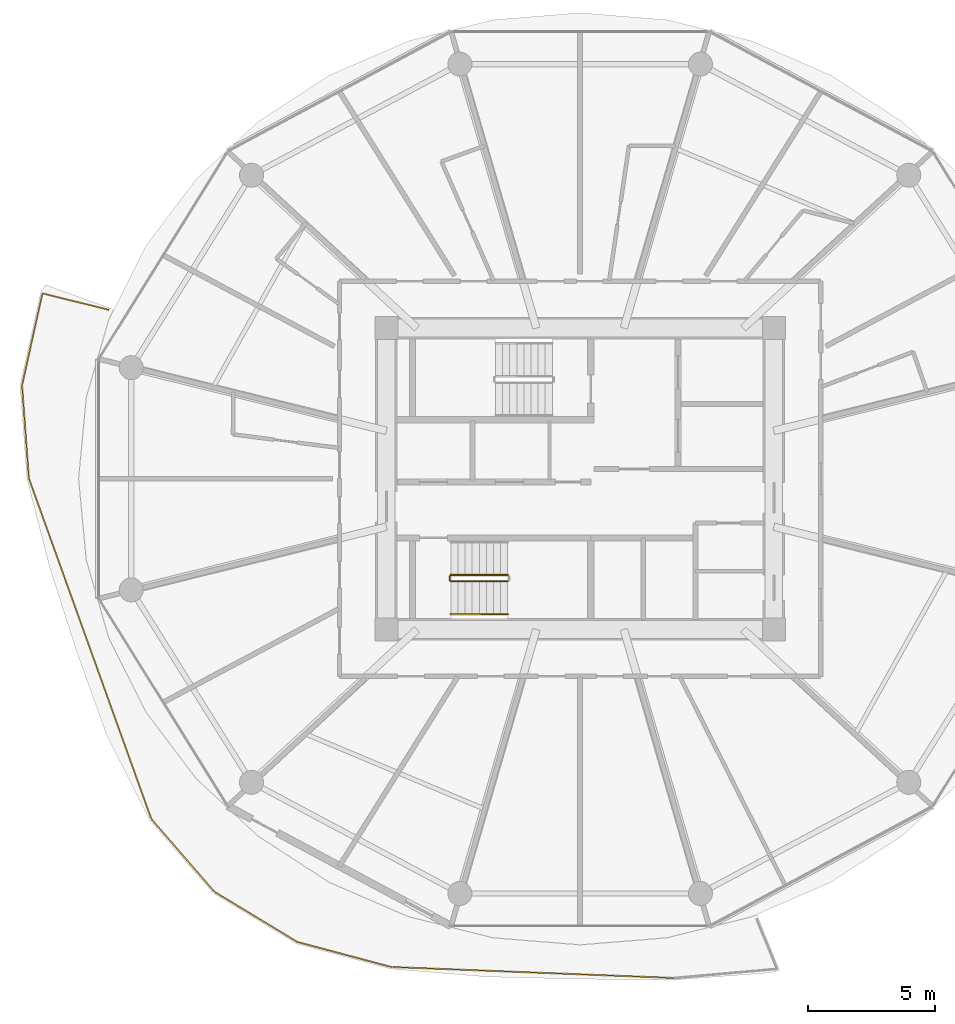
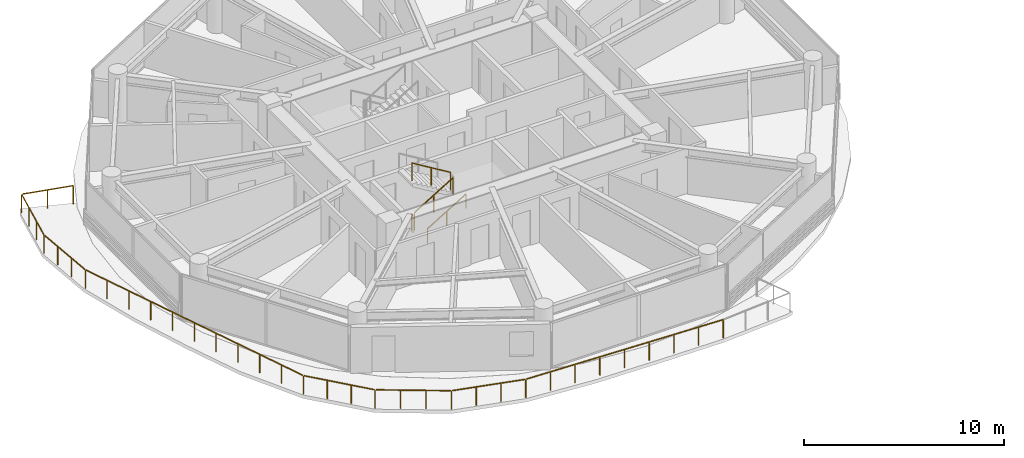
# One storey, part 23 of 28: 5 railings.
"""IFC4 building model written with IfcOpenShell, lengths in metres."""

from ifc_helpers import new_model, si_unit, direction, frame, origin, origin_2d, place, context, subcontext, project, spatial, rectangle, extrude, material, type_object, element, save


model = new_model("IFC4")

# Units and contexts
model_context = context("Model", 3, precision=1e-05, world=origin(), true_north=direction((0.0, 1.0)))
body_context = subcontext(model_context, "Body", "Model", "MODEL_VIEW")
ifc_project = project(units=[si_unit("LENGTHUNIT", "METRE"), si_unit("AREAUNIT", "SQUARE_METRE"), si_unit("VOLUMEUNIT", "CUBIC_METRE"), si_unit("PLANEANGLEUNIT", "RADIAN"), si_unit("MASSUNIT", "GRAM", prefix="KILO")], contexts=[model_context])

# Site, building, storey
site_placement = place(None, origin())
site = spatial("IfcSite", under=ifc_project, at=site_placement, CompositionType="ELEMENT")
building_placement = place(site_placement, origin())
building = spatial("IfcBuilding", under=site, at=building_placement, Name="Norrkilde Senior Care Towers", CompositionType="ELEMENT")
storey_placement = place(building_placement, frame((0.0, 0.0, 39.89990234375)))
storey = spatial("IfcBuildingStorey", under=building, at=storey_placement, Name="L11", CompositionType="ELEMENT", Elevation=39.89990234375)

# Railings
ifc_material_1 = material(Name="Anodised Aluminium", Category="aluminium")
railing_type_1 = type_object("IfcRailingType", Name="Balcony Swirl Ribbon Guardrail 1150", PredefinedType="GUARDRAIL", material=ifc_material_1)
railing_1_placement = place(storey_placement, frame((-24.290771484375, -19.709716796875, 0.0)))
element("IfcRailing", 1, at=railing_1_placement, inside=storey, type_object=railing_type_1, Name="L11 Perimeter Safety Guard 03", PredefinedType="GUARDRAIL", context=body_context, shape_type="SweptSolid", body=[
    extrude(rectangle(XDim=0.048095703125, YDim=0.048095703125, at=origin_2d()), frame((0.0, 0.0, 1.1259765625), z_axis=(-0.999244330243, 0.038868605302, 0.0), x_axis=(-0.038868605302, -0.999244330243, 0.0)), (0.0, 0.0, 1.0), 11.13330078125),
    extrude(rectangle(XDim=0.048095703125, YDim=0.048095703125, at=origin_2d()), frame((-11.205322265625, 0.44482421875, 1.1259765625), z_axis=(-0.96624232088, 0.257634969172, 0.0), x_axis=(-0.257634969172, -0.96624232088, 0.0)), (0.0, 0.0, 1.0), 3.7607421875),
    extrude(rectangle(XDim=0.048095703125, YDim=0.048095703125, at=origin_2d()), frame((-14.91357421875, 1.445556640625, 1.1259765625), z_axis=(-0.855341697767, 0.518064262481, 0.0), x_axis=(-0.518064262481, -0.855341697767, 0.0)), (0.0, 0.0, 1.0), 3.746826171875),
    extrude(rectangle(XDim=0.048095703125, YDim=0.048095703125, at=origin_2d()), frame((-18.18017578125, 3.438720703125, 1.1259765625), z_axis=(-0.655013796791, 0.755616917501, 0.0), x_axis=(-0.755616917501, -0.655013796791, 0.0)), (0.0, 0.0, 1.0), 3.713623046875),
    extrude(rectangle(XDim=0.048095703125, YDim=0.048095703125, at=origin_2d()), frame((-20.6533203125, 6.314208984375, 1.1259765625), z_axis=(-0.338319534564, 0.941031292005, 0.0), x_axis=(-0.941031292005, -0.338319534564, 0.0)), (0.0, 0.0, 1.0), 14.2080078125),
    extrude(rectangle(XDim=0.048095703125, YDim=0.048095703125, at=origin_2d()), frame((-25.476806640625, 19.763427734375, 1.1259765625), z_axis=(-0.073451678086, 0.997298777191, 0.0), x_axis=(-0.997298777191, -0.073451678086, 0.0)), (0.0, 0.0, 1.0), 3.60107421875),
    extrude(rectangle(XDim=0.048095703125, YDim=0.048095703125, at=origin_2d()), frame((-25.735595703125, 23.435302734375, 1.1259765625), z_axis=(0.216506814458, 0.976281106697, 0.0), x_axis=(-0.976281106697, 0.216506814458, 0.0)), (0.0, 0.0, 1.0), 3.640625),
    extrude(rectangle(XDim=0.048095703125, YDim=0.048095703125, at=origin_2d()), frame((-24.898681640625, 27.019775390625, 1.1259765625), z_axis=(0.970726575281, -0.240187252041, 0.0), x_axis=(0.240187252041, 0.970726575281, 0.0)), (0.0, 0.0, 1.0), 2.650634765625),
    extrude(rectangle(XDim=0.0419921875, YDim=0.0419921875, at=origin_2d()), origin(), (0.0, 0.0, 1.0), 1.099853515625),
    extrude(rectangle(XDim=0.0419921875, YDim=0.0419921875, at=origin_2d()), frame((-1.395751953125, 0.05419921875, 0.0)), (0.0, 0.0, 1.0), 1.099853515625),
    extrude(rectangle(XDim=0.0419921875, YDim=0.0419921875, at=origin_2d()), frame((-2.79150390625, 0.108642578125, 0.0)), (0.0, 0.0, 1.0), 1.099853515625),
    extrude(rectangle(XDim=0.0419921875, YDim=0.0419921875, at=origin_2d()), frame((-4.187255859375, 0.162841796875, 0.0)), (0.0, 0.0, 1.0), 1.099853515625),
    extrude(rectangle(XDim=0.0419921875, YDim=0.0419921875, at=origin_2d()), frame((-5.5830078125, 0.21728515625, 0.0)), (0.0, 0.0, 1.0), 1.099853515625),
    extrude(rectangle(XDim=0.0419921875, YDim=0.0419921875, at=origin_2d()), frame((-6.978515625, 0.271484375, 0.0)), (0.0, 0.0, 1.0), 1.099853515625),
    extrude(rectangle(XDim=0.0419921875, YDim=0.0419921875, at=origin_2d()), frame((-8.374267578125, 0.32568359375, 0.0)), (0.0, 0.0, 1.0), 1.099853515625),
    extrude(rectangle(XDim=0.0419921875, YDim=0.0419921875, at=origin_2d()), frame((-9.77001953125, 0.380126953125, 0.0)), (0.0, 0.0, 1.0), 1.099853515625),
    extrude(rectangle(XDim=0.0419921875, YDim=0.0419921875, at=origin_2d()), frame((-11.165771484375, 0.434326171875, 0.0)), (0.0, 0.0, 1.0), 1.099853515625),
    extrude(rectangle(XDim=0.0419921875, YDim=0.0419921875, at=origin_2d()), frame((-12.4033203125, 0.764404296875, 0.0)), (0.0, 0.0, 1.0), 1.099853515625),
    extrude(rectangle(XDim=0.0419921875, YDim=0.0419921875, at=origin_2d()), frame((-13.64111328125, 1.09423828125, 0.0)), (0.0, 0.0, 1.0), 1.099853515625),
    extrude(rectangle(XDim=0.0419921875, YDim=0.0419921875, at=origin_2d()), frame((-14.878662109375, 1.42431640625, 0.0)), (0.0, 0.0, 1.0), 1.099853515625),
    extrude(rectangle(XDim=0.0419921875, YDim=0.0419921875, at=origin_2d()), frame((-15.97021484375, 2.08544921875, 0.0)), (0.0, 0.0, 1.0), 1.099853515625),
    extrude(rectangle(XDim=0.0419921875, YDim=0.0419921875, at=origin_2d()), frame((-17.061767578125, 2.74658203125, 0.0)), (0.0, 0.0, 1.0), 1.099853515625),
    extrude(rectangle(XDim=0.0419921875, YDim=0.0419921875, at=origin_2d()), frame((-18.1533203125, 3.40771484375, 0.0)), (0.0, 0.0, 1.0), 1.099853515625),
    extrude(rectangle(XDim=0.0419921875, YDim=0.0419921875, at=origin_2d()), frame((-18.98193359375, 4.36376953125, 0.0)), (0.0, 0.0, 1.0), 1.099853515625),
    extrude(rectangle(XDim=0.0419921875, YDim=0.0419921875, at=origin_2d()), frame((-19.810791015625, 5.319580078125, 0.0)), (0.0, 0.0, 1.0), 1.099853515625),
    extrude(rectangle(XDim=0.0419921875, YDim=0.0419921875, at=origin_2d()), frame((-20.639404296875, 6.275634765625, 0.0)), (0.0, 0.0, 1.0), 1.099853515625),
    extrude(rectangle(XDim=0.0419921875, YDim=0.0419921875, at=origin_2d()), frame((-21.122802734375, 7.620361328125, 0.0)), (0.0, 0.0, 1.0), 1.099853515625),
    extrude(rectangle(XDim=0.0419921875, YDim=0.0419921875, at=origin_2d()), frame((-21.606201171875, 8.965087890625, 0.0)), (0.0, 0.0, 1.0), 1.099853515625),
    extrude(rectangle(XDim=0.0419921875, YDim=0.0419921875, at=origin_2d()), frame((-22.08984375, 10.309814453125, 0.0)), (0.0, 0.0, 1.0), 1.099853515625),
    extrude(rectangle(XDim=0.0419921875, YDim=0.0419921875, at=origin_2d()), frame((-22.5732421875, 11.654541015625, 0.0)), (0.0, 0.0, 1.0), 1.099853515625),
    extrude(rectangle(XDim=0.0419921875, YDim=0.0419921875, at=origin_2d()), frame((-23.056640625, 12.9990234375, 0.0)), (0.0, 0.0, 1.0), 1.099853515625),
    extrude(rectangle(XDim=0.0419921875, YDim=0.0419921875, at=origin_2d()), frame((-23.5400390625, 14.34375, 0.0)), (0.0, 0.0, 1.0), 1.099853515625),
    extrude(rectangle(XDim=0.0419921875, YDim=0.0419921875, at=origin_2d()), frame((-24.0234375, 15.6884765625, 0.0)), (0.0, 0.0, 1.0), 1.099853515625),
    extrude(rectangle(XDim=0.0419921875, YDim=0.0419921875, at=origin_2d()), frame((-24.507080078125, 17.033203125, 0.0)), (0.0, 0.0, 1.0), 1.099853515625),
    extrude(rectangle(XDim=0.0419921875, YDim=0.0419921875, at=origin_2d()), frame((-24.990478515625, 18.3779296875, 0.0)), (0.0, 0.0, 1.0), 1.099853515625),
    extrude(rectangle(XDim=0.0419921875, YDim=0.0419921875, at=origin_2d()), frame((-25.473876953125, 19.72265625, 0.0)), (0.0, 0.0, 1.0), 1.099853515625),
    extrude(rectangle(XDim=0.0419921875, YDim=0.0419921875, at=origin_2d()), frame((-25.56396484375, 20.947021484375, 0.0)), (0.0, 0.0, 1.0), 1.099853515625),
    extrude(rectangle(XDim=0.0419921875, YDim=0.0419921875, at=origin_2d()), frame((-25.654296875, 22.171142578125, 0.0)), (0.0, 0.0, 1.0), 1.099853515625),
    extrude(rectangle(XDim=0.0419921875, YDim=0.0419921875, at=origin_2d()), frame((-25.744384765625, 23.3955078125, 0.0)), (0.0, 0.0, 1.0), 1.099853515625),
    extrude(rectangle(XDim=0.0419921875, YDim=0.0419921875, at=origin_2d()), frame((-25.475830078125, 24.60693359375, 0.0)), (0.0, 0.0, 1.0), 1.099853515625),
    extrude(rectangle(XDim=0.0419921875, YDim=0.0419921875, at=origin_2d()), frame((-25.20703125, 25.818115234375, 0.0)), (0.0, 0.0, 1.0), 1.099853515625),
    extrude(rectangle(XDim=0.0419921875, YDim=0.0419921875, at=origin_2d()), frame((-24.9384765625, 27.029541015625, 0.0)), (0.0, 0.0, 1.0), 1.099853515625),
    extrude(rectangle(XDim=0.0419921875, YDim=0.0419921875, at=origin_2d()), frame((-23.632080078125, 26.706298828125, 0.0)), (0.0, 0.0, 1.0), 1.099853515625),
    extrude(rectangle(XDim=0.0419921875, YDim=0.0419921875, at=origin_2d()), frame((-22.32568359375, 26.383056640625, 0.0)), (0.0, 0.0, 1.0), 1.099853515625),
])
ifc_material_2 = material(Name="Stainless Steel", Category="steel")
railing_type_2 = type_object("IfcRailingType", Name="Stair and Terrace Guardrail 1100", PredefinedType="GUARDRAIL", material=ifc_material_2)
railing_2_placement = place(storey_placement, frame((-33.10009765625, -4.050048828125, 0.16943359375)))
element("IfcRailing", 2, at=railing_2_placement, inside=storey, type_object=railing_type_2, Name="L11 ST-W2 stair guard 1", PredefinedType="GUARDRAIL", context=body_context, shape_type="SweptSolid", body=[
    extrude(rectangle(XDim=0.048095703125, YDim=0.048095703125, at=origin_2d()), frame((0.0, 0.0, 1.076171875), z_axis=(0.855512035549, 0.0, 0.517782924622), x_axis=(0.0, 1.0, 0.0)), (0.0, 0.0, 1.0), 2.618408203125),
    extrude(rectangle(XDim=0.0419921875, YDim=0.0419921875, at=origin_2d()), origin(), (0.0, 0.0, 1.0), 1.050048828125),
    extrude(rectangle(XDim=0.0419921875, YDim=0.0419921875, at=origin_2d()), frame((1.1201171875, 0.0, 0.677734375)), (0.0, 0.0, 1.0), 1.050048828125),
    extrude(rectangle(XDim=0.0419921875, YDim=0.0419921875, at=origin_2d()), frame((2.239990234375, 0.0, 1.355712890625)), (0.0, 0.0, 1.0), 1.050048828125),
])
railing_3_placement = place(storey_placement, frame((-30.860107421875, -3.800048828125, 1.694580078125)))
element("IfcRailing", 3, at=railing_3_placement, inside=storey, type_object=railing_type_2, Name="L11 ST-W2 stair guard 3", PredefinedType="GUARDRAIL", context=body_context, shape_type="SweptSolid", body=[
    extrude(rectangle(XDim=0.048095703125, YDim=0.048095703125, at=origin_2d()), frame((0.0, 0.0, 1.076171875), z_axis=(-0.855553338991, 0.0, 0.51771467445), x_axis=(0.0, -1.0, 0.0)), (0.0, 0.0, 1.0), 2.6181640625),
    extrude(rectangle(XDim=0.0419921875, YDim=0.0419921875, at=origin_2d()), origin(), (0.0, 0.0, 1.0), 1.050048828125),
    extrude(rectangle(XDim=0.0419921875, YDim=0.0419921875, at=origin_2d()), frame((-1.1201171875, 0.0, 0.677734375)), (0.0, 0.0, 1.0), 1.050048828125),
    extrude(rectangle(XDim=0.0419921875, YDim=0.0419921875, at=origin_2d()), frame((-2.239990234375, 0.0, 1.35546875)), (0.0, 0.0, 1.0), 1.050048828125),
])
railing_4_placement = place(storey_placement, frame((-33.14990234375, -4.0, 0.0)))
element("IfcRailing", 4, at=railing_4_placement, inside=storey, type_object=railing_type_2, Name="L11 ST-W2 stair guard 4", PredefinedType="GUARDRAIL", context=body_context, shape_type="SweptSolid", body=[
    extrude(rectangle(XDim=0.048095703125, YDim=0.048095703125, at=origin_2d()), frame((0.0, 0.0, 1.076171875), z_axis=(0.0, 1.0, 0.0), x_axis=(-1.0, 0.0, 0.0)), (0.0, 0.0, 1.0), 0.14990234375),
    extrude(rectangle(XDim=0.0419921875, YDim=0.0419921875, at=origin_2d()), origin(), (0.0, 0.0, 1.0), 1.050048828125),
    extrude(rectangle(XDim=0.0419921875, YDim=0.0419921875, at=origin_2d()), frame((0.0, 0.14990234375, 0.0)), (0.0, 0.0, 1.0), 1.050048828125),
])
ifc_material_3 = material(Name="Nordic Ash Timber", Category="wood")
railing_type_3 = type_object("IfcRailingType", Name="Wall and Stair Handrail 900", PredefinedType="HANDRAIL", material=ifc_material_3)
railing_5_placement = place(storey_placement, frame((-33.10009765625, -5.35009765625, 0.16943359375)))
element("IfcRailing", 5, at=railing_5_placement, inside=storey, type_object=railing_type_3, Name="L11 ST-W2 stair handrail 1", PredefinedType="HANDRAIL", context=body_context, shape_type="SweptSolid", body=[
    extrude(rectangle(XDim=0.048095703125, YDim=0.048095703125, at=origin_2d()), frame((0.0, 0.0, 0.8759765625), z_axis=(0.855512035549, 0.0, 0.517782924622), x_axis=(0.0, 1.0, 0.0)), (0.0, 0.0, 1.0), 2.618408203125),
    extrude(rectangle(XDim=0.0419921875, YDim=0.0419921875, at=origin_2d()), origin(), (0.0, 0.0, 1.0), 0.849853515625),
    extrude(rectangle(XDim=0.0419921875, YDim=0.0419921875, at=origin_2d()), frame((1.1201171875, 0.0, 0.677734375)), (0.0, 0.0, 1.0), 0.849853515625),
    extrude(rectangle(XDim=0.0419921875, YDim=0.0419921875, at=origin_2d()), frame((2.239990234375, 0.0, 1.355712890625)), (0.0, 0.0, 1.0), 0.849853515625),
])

save(model, "model.ifc")
